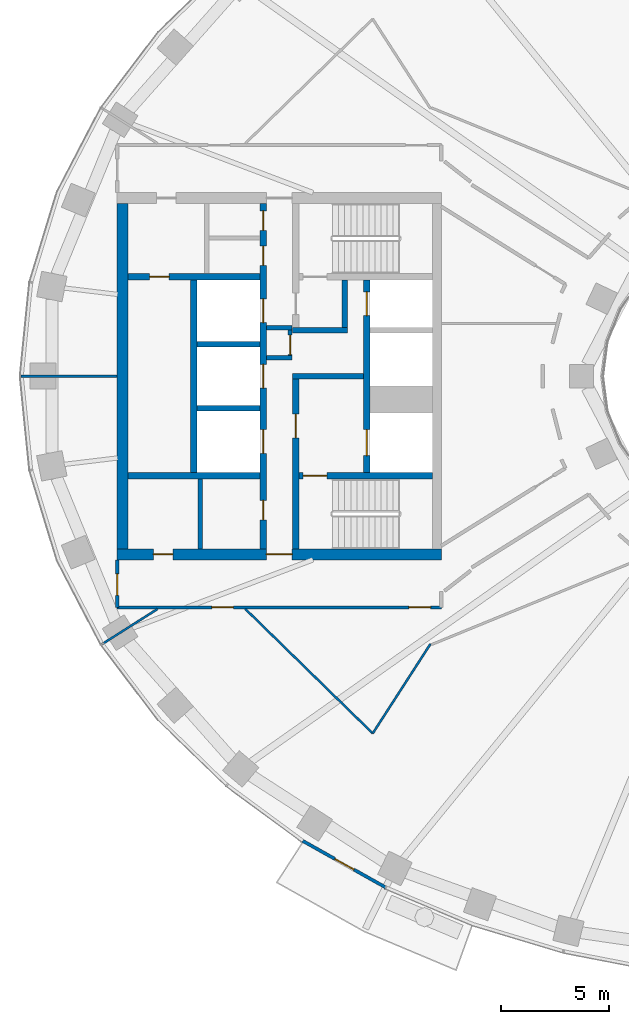
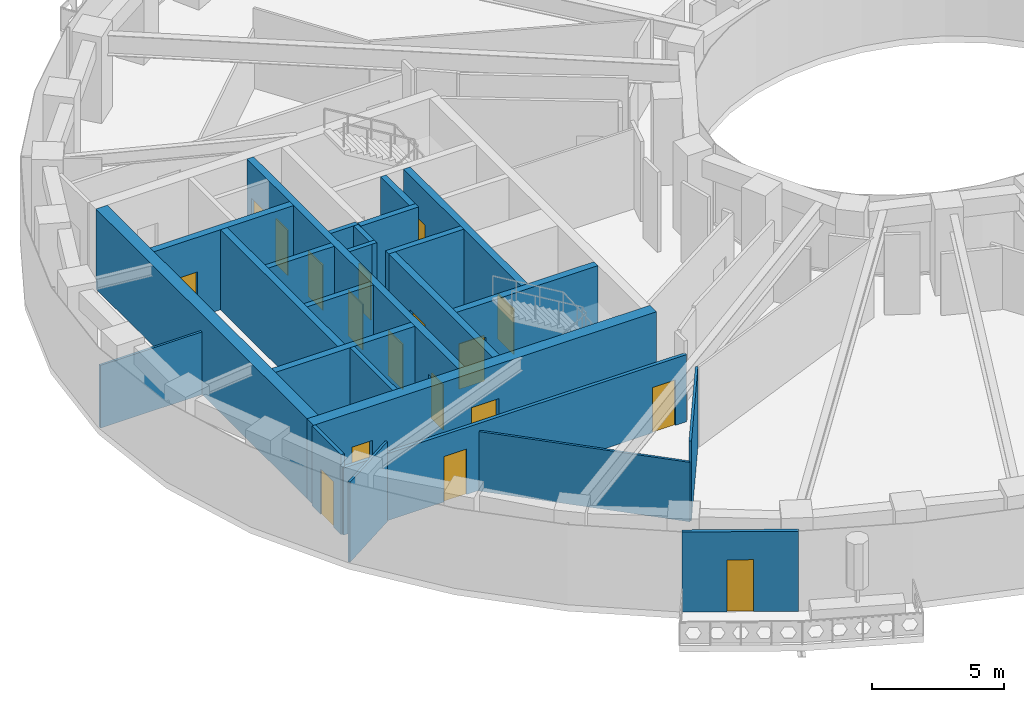
# One storey, part 3 of 15: 25 walls, 18 doors, 18 openings.
"""IFC4 building model written with IfcOpenShell, lengths in metres."""

from ifc_helpers import new_model, si_unit, direction, frame, frame_2d, origin, place, context, subcontext, project, spatial, rectangle, extrude, material, layer, layer_set, type_object, element, fill, save


model = new_model("IFC4")

# Units and contexts
model_context = context("Model", 3, precision=1e-05, world=origin(), true_north=direction((0.0, 1.0)))
body_context = subcontext(model_context, "Body", "Model", "MODEL_VIEW")
ifc_project = project(units=[si_unit("LENGTHUNIT", "METRE"), si_unit("AREAUNIT", "SQUARE_METRE"), si_unit("VOLUMEUNIT", "CUBIC_METRE"), si_unit("PLANEANGLEUNIT", "RADIAN"), si_unit("MASSUNIT", "GRAM", prefix="KILO")], contexts=[model_context])

# Site, building, storey
site_placement = place(None, origin())
site = spatial("IfcSite", under=ifc_project, at=site_placement, CompositionType="ELEMENT")
building_placement = place(site_placement, origin())
building = spatial("IfcBuilding", under=site, at=building_placement, Name="Noorbagh Ring Tower", CompositionType="ELEMENT")
storey_placement = place(building_placement, frame((0.0, 0.0, 158.0)))
storey = spatial("IfcBuildingStorey", under=building, at=storey_placement, Name="L36", CompositionType="ELEMENT", Elevation=158.0)

# Walls
ifc_material_1 = material(Name="Gypsum board on steel studs", Category="steel")
ifc_layer_1 = layer(ifc_material_1, 0.199951171875)
ifc_layer_set_1 = layer_set([ifc_layer_1], Name="Gypsum board on steel studs")
wall_type_1 = type_object("IfcWallType", Name="CORE-PARTITION-200", PredefinedType="PARTITIONING", material=ifc_layer_set_1)
for number, where, z_axis, x_axis, name in (
    (1, (-23.39990234375, 0.85009765625, 0.0), (0.0, 0.0, 1.0), (-1.0, 0.0, 0.0), "Core partition W"),
    (2, (-23.39990234375, 2.25, 0.0), (0.0, 0.0, 1.0), (-1.0, 0.0, 0.0), "Core partition W"),
):
    element("IfcWall", number, at=place(storey_placement, frame(where, z_axis=z_axis, x_axis=x_axis)), inside=storey, type_object=wall_type_1, Name=name, PredefinedType="PARTITIONING", context=body_context, shape_type="SweptSolid", body=[
        extrude(rectangle(XDim=1.2001953125, YDim=0.199951171875, at=frame_2d((0.60009765625, 0.0))), origin(), (0.0, 0.0, 1.0), 3.699951171875),
    ])

# Wall, opening, door
wall_1_placement = place(storey_placement, frame((-23.5, 0.75, 0.0), z_axis=(0.0, 0.0, 1.0), x_axis=(0.0, 1.0, 0.0)))
wall_1 = element("IfcWall", 3, at=wall_1_placement, inside=storey, type_object=wall_type_1, Name="Core partition W", PredefinedType="PARTITIONING", context=body_context, shape_type="SweptSolid", body=[
    extrude(rectangle(XDim=1.60009765625, YDim=0.199951171875, at=frame_2d((0.800048828125, 0.0))), origin(), (0.0, 0.0, 1.0), 3.699951171875),
])
opening_1_placement = place(wall_1_placement, frame((0.25, 0.0, 0.0)))
opening_1 = element("IfcOpeningElement", 4, at=opening_1_placement, cuts=wall_1, Name="Opening L36-CW17", PredefinedType="OPENING", context=body_context, shape_type="SweptSolid", body=[
    extrude(rectangle(XDim=0.89990234375, YDim=2.10009765625, at=frame_2d((0.449951171875, 1.050048828125))), frame((0.0, 0.10986328125, 0.0), z_axis=(0.0, -1.0, 0.0), x_axis=(1.0, 0.0, 0.0)), (0.0, 0.0, 1.0), 0.219970703125),
])
ifc_material_2 = material(Name="Steel door leaf", Category="steel")
door_type_1 = type_object("IfcDoorType", Name="CORE-DOOR-DROOM", OperationType="SINGLE_SWING_LEFT", PredefinedType="DOOR", material=ifc_material_2)
door_1_placement = place(opening_1_placement, origin())
door_1 = element("IfcDoor", 5, at=door_1_placement, inside=storey, type_object=door_type_1, Name="Core room door L36-CW17", OperationType="SINGLE_SWING_RIGHT", OverallHeight=2.10009765625, OverallWidth=0.89990234375, PredefinedType="DOOR", context=body_context, shape_type="SweptSolid", body=[
    extrude(rectangle(XDim=0.89990234375, YDim=2.10009765625, at=frame_2d((0.449951171875, 1.050048828125))), frame((0.0, 0.02490234375, 0.0), z_axis=(0.0, -1.0, 0.0), x_axis=(1.0, 0.0, 0.0)), (0.0, 0.0, 1.0), 0.050048828125),
])
fill(opening_1, door_1)

# Walls
wall_2_placement = place(storey_placement, frame((-27.64990234375, -8.0, 0.0), z_axis=(0.0, 0.0, 1.0), x_axis=(0.0, 1.0, 0.0)))
element("IfcWall", 6, at=wall_2_placement, inside=storey, type_object=wall_type_1, Name="Core partition W", PredefinedType="PARTITIONING", context=body_context, shape_type="SweptSolid", body=[
    extrude(rectangle(XDim=3.25, YDim=0.199951171875, at=frame_2d((1.625, 0.0))), origin(), (0.0, 0.0, 1.0), 3.699951171875),
])
ifc_material_3 = material(Name="Concrete C60/75", Category="concrete")
ifc_layer_2 = layer(ifc_material_3, 0.25)
ifc_layer_set_2 = layer_set([ifc_layer_2], Name="Concrete C60/75")
wall_type_2 = type_object("IfcWallType", Name="CORE-WALL-250-C60-75-EI120", PredefinedType="SHEAR", material=ifc_layer_set_2)
for number, where, z_axis, x_axis, name in (
    (7, (-24.89990234375, -1.47509765625, 0.0), (0.0, 0.0, 1.0), (-1.0, 0.0, 0.0), "Core wall W"),
    (8, (-24.89990234375, 1.47509765625, 0.0), (0.0, 0.0, 1.0), (-1.0, 0.0, 0.0), "Core wall W"),
):
    element("IfcWall", number, at=place(storey_placement, frame(where, z_axis=z_axis, x_axis=x_axis)), inside=storey, type_object=wall_type_2, Name=name, PredefinedType="SHEAR", context=body_context, shape_type="SweptSolid", body=[
        extrude(rectangle(XDim=2.900146484375, YDim=0.25, at=frame_2d((1.4501953125, 0.0))), origin(), (0.0, 0.0, 1.0), 3.699951171875),
    ])
ifc_material_4 = material(Name="Concrete C60/75", Category="concrete")
ifc_layer_3 = layer(ifc_material_4, 0.25)
ifc_layer_set_3 = layer_set([ifc_layer_3], Name="Concrete C60/75")
wall_type_3 = type_object("IfcWallType", Name="CORE-WALL-250-C60-75-EI240", PredefinedType="SHEAR", material=ifc_layer_set_3)
wall_3_placement = place(storey_placement, frame((-20.10009765625, 0.0, 0.0), z_axis=(0.0, 0.0, 1.0), x_axis=(-1.0, 0.0, 0.0)))
element("IfcWall", 9, at=wall_3_placement, inside=storey, type_object=wall_type_3, Name="Core wall W", PredefinedType="SHEAR", context=body_context, shape_type="SweptSolid", body=[
    extrude(rectangle(XDim=3.27978515625, YDim=0.25, at=frame_2d((1.639892578125, 0.0))), origin(), (0.0, 0.0, 1.0), 3.699951171875),
])
wall_4_placement = place(storey_placement, frame((-20.85009765625, 2.125, 0.0), z_axis=(0.0, 0.0, 1.0), x_axis=(-1.0, 0.0, 0.0)))
element("IfcWall", 10, at=wall_4_placement, inside=storey, type_object=wall_type_3, Name="Core wall W", PredefinedType="SHEAR", context=body_context, shape_type="SweptSolid", body=[
    extrude(rectangle(XDim=2.52978515625, YDim=0.25, at=frame_2d((1.264892578125, 0.0))), origin(), (0.0, 0.0, 1.0), 3.699951171875),
])
wall_5_placement = place(storey_placement, frame((-20.97509765625, 2.25, 0.0), z_axis=(0.0, 0.0, 1.0), x_axis=(0.0, 1.0, 0.0)))
element("IfcWall", 11, at=wall_5_placement, inside=storey, type_object=wall_type_3, Name="Core wall W", PredefinedType="SHEAR", context=body_context, shape_type="SweptSolid", body=[
    extrude(rectangle(XDim=2.199951171875, YDim=0.25, at=frame_2d((1.10009765625, 0.0))), origin(), (0.0, 0.0, 1.0), 3.699951171875),
])
ifc_material_5 = material(Name="Concrete C60/75", Category="concrete")
ifc_layer_4 = layer(ifc_material_5, 0.300048828125)
ifc_layer_set_4 = layer_set([ifc_layer_4], Name="Concrete C60/75")
wall_type_4 = type_object("IfcWallType", Name="CORE-WALL-300-C60-75-EI120", PredefinedType="SHEAR", material=ifc_layer_set_4)
wall_6_placement = place(storey_placement, frame((-27.949951171875, -4.449951171875, 0.0), z_axis=(0.0, 0.0, 1.0), x_axis=(0.0, 1.0, 0.0)))
element("IfcWall", 12, at=wall_6_placement, inside=storey, type_object=wall_type_4, Name="Core wall W", PredefinedType="SHEAR", context=body_context, shape_type="SweptSolid", body=[
    extrude(rectangle(XDim=8.89990234375, YDim=0.300048828125, at=frame_2d((4.449951171875, 0.0))), origin(), (0.0, 0.0, 1.0), 3.699951171875),
])

# Wall, openings, doors
wall_7_placement = place(storey_placement, frame((-19.949951171875, -4.449951171875, 0.0), z_axis=(0.0, 0.0, 1.0), x_axis=(0.0, 1.0, 0.0)))
wall_7 = element("IfcWall", 13, at=wall_7_placement, inside=storey, type_object=wall_type_4, Name="Core wall W", PredefinedType="SHEAR", context=body_context, shape_type="SweptSolid", body=[
    extrude(rectangle(XDim=8.89990234375, YDim=0.300048828125, at=frame_2d((4.449951171875, 0.0))), origin(), (0.0, 0.0, 1.0), 3.699951171875),
])
opening_2_placement = place(wall_7_placement, frame((0.77490234375, 0.0, 0.0)))
opening_2 = element("IfcOpeningElement", 14, at=opening_2_placement, cuts=wall_7, Name="Opening L36-CW01", PredefinedType="OPENING", context=body_context, shape_type="SweptSolid", body=[
    extrude(rectangle(XDim=1.199951171875, YDim=2.10009765625, at=frame_2d((0.60009765625, 1.050048828125))), frame((0.0, 0.16015625, 0.0), z_axis=(0.0, -1.0, 0.0), x_axis=(1.0, 0.0, 0.0)), (0.0, 0.0, 1.0), 0.320068359375),
])
opening_3_placement = place(wall_7_placement, frame((7.25, 0.0, 0.0)))
opening_3 = element("IfcOpeningElement", 15, at=opening_3_placement, cuts=wall_7, Name="Opening L36-CW02", PredefinedType="OPENING", context=body_context, shape_type="SweptSolid", body=[
    extrude(rectangle(XDim=1.10009765625, YDim=2.10009765625, at=frame_2d((0.550048828125, 1.050048828125))), frame((0.0, 0.16015625, 0.0), z_axis=(0.0, -1.0, 0.0), x_axis=(1.0, 0.0, 0.0)), (0.0, 0.0, 1.0), 0.320068359375),
])
ifc_material_6 = material(Name="Steel door leaf", Category="steel")
door_type_2 = type_object("IfcDoorType", Name="CORE-DOOR-LD", OperationType="DOUBLE_DOOR_SLIDING", PredefinedType="DOOR", material=ifc_material_6)
door_2_placement = place(opening_3_placement, origin())
door_2 = element("IfcDoor", 16, at=door_2_placement, inside=storey, type_object=door_type_2, Name="Landing door HR1 L36-CW02", OperationType="DOUBLE_DOOR_SLIDING", OverallHeight=2.10009765625, OverallWidth=1.10009765625, PredefinedType="DOOR", context=body_context, shape_type="SweptSolid", body=[
    extrude(rectangle(XDim=1.10009765625, YDim=2.10009765625, at=frame_2d((0.550048828125, 1.050048828125))), frame((0.0, 0.02490234375, 0.0), z_axis=(0.0, -1.0, 0.0), x_axis=(1.0, 0.0, 0.0)), (0.0, 0.0, 1.0), 0.050048828125),
])
fill(opening_3, door_2)
ifc_material_7 = material(Name="Steel door leaf", Category="steel")
door_type_3 = type_object("IfcDoorType", Name="CORE-DOOR-LDW", OperationType="DOUBLE_DOOR_SLIDING", PredefinedType="DOOR", material=ifc_material_7)
door_3_placement = place(opening_2_placement, origin())
door_3 = element("IfcDoor", 17, at=door_3_placement, inside=storey, type_object=door_type_3, Name="Landing door FF1 L36-CW01", OperationType="DOUBLE_DOOR_SLIDING", OverallHeight=2.10009765625, OverallWidth=1.199951171875, PredefinedType="DOOR", context=body_context, shape_type="SweptSolid", body=[
    extrude(rectangle(XDim=1.199951171875, YDim=2.10009765625, at=frame_2d((0.60009765625, 1.050048828125))), frame((0.0, 0.02490234375, 0.0), z_axis=(0.0, -1.0, 0.0), x_axis=(1.0, 0.0, 0.0)), (0.0, 0.0, 1.0), 0.050048828125),
])
fill(opening_2, door_3)

wall_8_placement = place(storey_placement, frame((-24.75, -8.0, 0.0), z_axis=(0.0, 0.0, 1.0), x_axis=(0.0, 1.0, 0.0)))
wall_8 = element("IfcWall", 18, at=wall_8_placement, inside=storey, type_object=wall_type_4, Name="Core wall W", PredefinedType="SHEAR", context=body_context, shape_type="SweptSolid", body=[
    extrude(rectangle(XDim=16.0, YDim=0.300048828125, at=frame_2d((8.0, 0.0))), origin(), (0.0, 0.0, 1.0), 3.699951171875),
])
opening_4_placement = place(wall_8_placement, frame((4.425048828125, 0.0, 0.0)))
opening_4 = element("IfcOpeningElement", 19, at=opening_4_placement, cuts=wall_8, Name="Opening L36-CW03", PredefinedType="OPENING", context=body_context, shape_type="SweptSolid", body=[
    extrude(rectangle(XDim=1.10009765625, YDim=2.10009765625, at=frame_2d((0.550048828125, 1.050048828125))), frame((0.0, 0.16015625, 0.0), z_axis=(0.0, -1.0, 0.0), x_axis=(1.0, 0.0, 0.0)), (0.0, 0.0, 1.0), 0.320068359375),
])
opening_5_placement = place(wall_8_placement, frame((7.449951171875, 0.0, 0.0)))
opening_5 = element("IfcOpeningElement", 20, at=opening_5_placement, cuts=wall_8, Name="Opening L36-CW04", PredefinedType="OPENING", context=body_context, shape_type="SweptSolid", body=[
    extrude(rectangle(XDim=1.10009765625, YDim=2.10009765625, at=frame_2d((0.550048828125, 1.050048828125))), frame((0.0, 0.16015625, 0.0), z_axis=(0.0, -1.0, 0.0), x_axis=(1.0, 0.0, 0.0)), (0.0, 0.0, 1.0), 0.320068359375),
])
opening_6_placement = place(wall_8_placement, frame((10.47509765625, 0.0, 0.0)))
opening_6 = element("IfcOpeningElement", 21, at=opening_6_placement, cuts=wall_8, Name="Opening L36-CW05", PredefinedType="OPENING", context=body_context, shape_type="SweptSolid", body=[
    extrude(rectangle(XDim=1.10009765625, YDim=2.10009765625, at=frame_2d((0.550048828125, 1.050048828125))), frame((0.0, 0.16015625, 0.0), z_axis=(0.0, -1.0, 0.0), x_axis=(1.0, 0.0, 0.0)), (0.0, 0.0, 1.0), 0.320068359375),
])
opening_7_placement = place(wall_8_placement, frame((13.125, 0.0, 0.0)))
opening_7 = element("IfcOpeningElement", 22, at=opening_7_placement, cuts=wall_8, Name="Opening L36-CW12", PredefinedType="OPENING", context=body_context, shape_type="SweptSolid", body=[
    extrude(rectangle(XDim=0.89990234375, YDim=2.10009765625, at=frame_2d((0.449951171875, 1.050048828125))), frame((0.0, 0.16015625, 0.0), z_axis=(0.0, -1.0, 0.0), x_axis=(1.0, 0.0, 0.0)), (0.0, 0.0, 1.0), 0.320068359375),
])
opening_8_placement = place(wall_8_placement, frame((14.75, 0.0, 0.0)))
opening_8 = element("IfcOpeningElement", 23, at=opening_8_placement, cuts=wall_8, Name="Opening L36-CW13", PredefinedType="OPENING", context=body_context, shape_type="SweptSolid", body=[
    extrude(rectangle(XDim=0.89990234375, YDim=2.10009765625, at=frame_2d((0.449951171875, 1.050048828125))), frame((0.0, 0.16015625, 0.0), z_axis=(0.0, -1.0, 0.0), x_axis=(1.0, 0.0, 0.0)), (0.0, 0.0, 1.0), 0.320068359375),
])
opening_9_placement = place(wall_8_placement, frame((1.35009765625, 0.0, 0.0)))
opening_9 = element("IfcOpeningElement", 24, at=opening_9_placement, cuts=wall_8, Name="Opening L36-CW15", PredefinedType="OPENING", context=body_context, shape_type="SweptSolid", body=[
    extrude(rectangle(XDim=0.89990234375, YDim=2.10009765625, at=frame_2d((0.449951171875, 1.050048828125))), frame((0.0, 0.16015625, 0.0), z_axis=(0.0, -1.0, 0.0), x_axis=(1.0, 0.0, 0.0)), (0.0, 0.0, 1.0), 0.320068359375),
])
door_4_placement = place(opening_7_placement, origin())
door_4 = element("IfcDoor", 25, at=door_4_placement, inside=storey, type_object=door_type_1, Name="Core room door L36-CW12", OperationType="SINGLE_SWING_LEFT", OverallHeight=2.10009765625, OverallWidth=0.89990234375, PredefinedType="DOOR", context=body_context, shape_type="SweptSolid", body=[
    extrude(rectangle(XDim=0.89990234375, YDim=2.10009765625, at=frame_2d((0.449951171875, 1.050048828125))), frame((0.0, 0.02490234375, 0.0), z_axis=(0.0, -1.0, 0.0), x_axis=(1.0, 0.0, 0.0)), (0.0, 0.0, 1.0), 0.050048828125),
])
fill(opening_7, door_4)
door_5_placement = place(opening_8_placement, origin())
door_5 = element("IfcDoor", 26, at=door_5_placement, inside=storey, type_object=door_type_1, Name="Core room door L36-CW13", OperationType="SINGLE_SWING_RIGHT", OverallHeight=2.10009765625, OverallWidth=0.89990234375, PredefinedType="DOOR", context=body_context, shape_type="SweptSolid", body=[
    extrude(rectangle(XDim=0.89990234375, YDim=2.10009765625, at=frame_2d((0.449951171875, 1.050048828125))), frame((0.0, 0.02490234375, 0.0), z_axis=(0.0, -1.0, 0.0), x_axis=(1.0, 0.0, 0.0)), (0.0, 0.0, 1.0), 0.050048828125),
])
fill(opening_8, door_5)
door_6_placement = place(opening_9_placement, origin())
door_6 = element("IfcDoor", 27, at=door_6_placement, inside=storey, type_object=door_type_1, Name="Core room door L36-CW15", OperationType="SINGLE_SWING_LEFT", OverallHeight=2.10009765625, OverallWidth=0.89990234375, PredefinedType="DOOR", context=body_context, shape_type="SweptSolid", body=[
    extrude(rectangle(XDim=0.89990234375, YDim=2.10009765625, at=frame_2d((0.449951171875, 1.050048828125))), frame((0.0, 0.02490234375, 0.0), z_axis=(0.0, -1.0, 0.0), x_axis=(1.0, 0.0, 0.0)), (0.0, 0.0, 1.0), 0.050048828125),
])
fill(opening_9, door_6)
door_7_placement = place(opening_4_placement, origin())
door_7 = element("IfcDoor", 28, at=door_7_placement, inside=storey, type_object=door_type_2, Name="Landing door HR2 L36-CW03", OperationType="DOUBLE_DOOR_SLIDING", OverallHeight=2.10009765625, OverallWidth=1.10009765625, PredefinedType="DOOR", context=body_context, shape_type="SweptSolid", body=[
    extrude(rectangle(XDim=1.10009765625, YDim=2.10009765625, at=frame_2d((0.550048828125, 1.050048828125))), frame((0.0, 0.02490234375, 0.0), z_axis=(0.0, -1.0, 0.0), x_axis=(1.0, 0.0, 0.0)), (0.0, 0.0, 1.0), 0.050048828125),
])
fill(opening_4, door_7)
door_8_placement = place(opening_5_placement, origin())
door_8 = element("IfcDoor", 29, at=door_8_placement, inside=storey, type_object=door_type_2, Name="Landing door HR3 L36-CW04", OperationType="DOUBLE_DOOR_SLIDING", OverallHeight=2.10009765625, OverallWidth=1.10009765625, PredefinedType="DOOR", context=body_context, shape_type="SweptSolid", body=[
    extrude(rectangle(XDim=1.10009765625, YDim=2.10009765625, at=frame_2d((0.550048828125, 1.050048828125))), frame((0.0, 0.02490234375, 0.0), z_axis=(0.0, -1.0, 0.0), x_axis=(1.0, 0.0, 0.0)), (0.0, 0.0, 1.0), 0.050048828125),
])
fill(opening_5, door_8)
door_9_placement = place(opening_6_placement, origin())
door_9 = element("IfcDoor", 30, at=door_9_placement, inside=storey, type_object=door_type_2, Name="Landing door HR4 L36-CW05", OperationType="DOUBLE_DOOR_SLIDING", OverallHeight=2.10009765625, OverallWidth=1.10009765625, PredefinedType="DOOR", context=body_context, shape_type="SweptSolid", body=[
    extrude(rectangle(XDim=1.10009765625, YDim=2.10009765625, at=frame_2d((0.550048828125, 1.050048828125))), frame((0.0, 0.02490234375, 0.0), z_axis=(0.0, -1.0, 0.0), x_axis=(1.0, 0.0, 0.0)), (0.0, 0.0, 1.0), 0.050048828125),
])
fill(opening_6, door_9)

# Wall, opening, door
ifc_material_8 = material(Name="Concrete C60/75", Category="concrete")
ifc_layer_5 = layer(ifc_material_8, 0.300048828125)
ifc_layer_set_5 = layer_set([ifc_layer_5], Name="Concrete C60/75")
wall_type_5 = type_object("IfcWallType", Name="CORE-WALL-300-C60-75-EI240", PredefinedType="SHEAR", material=ifc_layer_set_5)
wall_9_placement = place(storey_placement, frame((-24.89990234375, 4.60009765625, 0.0), z_axis=(0.0, 0.0, 1.0), x_axis=(-1.0, 0.0, 0.0)))
wall_9 = element("IfcWall", 31, at=wall_9_placement, inside=storey, type_object=wall_type_5, Name="Core wall W", PredefinedType="SHEAR", context=body_context, shape_type="SweptSolid", body=[
    extrude(rectangle(XDim=6.10009765625, YDim=0.300048828125, at=frame_2d((3.050048828125, 0.0))), origin(), (0.0, 0.0, 1.0), 3.699951171875),
])
opening_10_placement = place(wall_9_placement, frame((4.199951171875, 0.0, 0.0)))
opening_10 = element("IfcOpeningElement", 32, at=opening_10_placement, cuts=wall_9, Name="Opening L36-CW18", PredefinedType="OPENING", context=body_context, shape_type="SweptSolid", body=[
    extrude(rectangle(XDim=0.89990234375, YDim=2.10009765625, at=frame_2d((0.449951171875, 1.050048828125))), frame((0.0, 0.16015625, 0.0), z_axis=(0.0, -1.0, 0.0), x_axis=(1.0, 0.0, 0.0)), (0.0, 0.0, 1.0), 0.320068359375),
])
door_10_placement = place(opening_10_placement, origin())
door_10 = element("IfcDoor", 33, at=door_10_placement, inside=storey, type_object=door_type_1, Name="Core room door L36-CW18", OperationType="SINGLE_SWING_LEFT", OverallHeight=2.10009765625, OverallWidth=0.89990234375, PredefinedType="DOOR", context=body_context, shape_type="SweptSolid", body=[
    extrude(rectangle(XDim=0.89990234375, YDim=2.10009765625, at=frame_2d((0.449951171875, 1.050048828125))), frame((0.0, 0.02490234375, 0.0), z_axis=(0.0, -1.0, 0.0), x_axis=(1.0, 0.0, 0.0)), (0.0, 0.0, 1.0), 0.050048828125),
])
fill(opening_10, door_10)

# Wall
wall_10_placement = place(storey_placement, frame((-24.89990234375, -4.60009765625, 0.0), z_axis=(0.0, 0.0, 1.0), x_axis=(-1.0, 0.0, 0.0)))
element("IfcWall", 34, at=wall_10_placement, inside=storey, type_object=wall_type_5, Name="Core wall W", PredefinedType="SHEAR", context=body_context, shape_type="SweptSolid", body=[
    extrude(rectangle(XDim=6.10009765625, YDim=0.300048828125, at=frame_2d((3.050048828125, 0.0))), origin(), (0.0, 0.0, 1.0), 3.699951171875),
])

# Wall, opening, door
wall_11_placement = place(storey_placement, frame((-23.22998046875, -8.0, 0.0), z_axis=(0.0, 0.0, 1.0), x_axis=(0.0, 1.0, 0.0)))
wall_11 = element("IfcWall", 35, at=wall_11_placement, inside=storey, type_object=wall_type_5, Name="Core wall W", PredefinedType="SHEAR", context=body_context, shape_type="SweptSolid", body=[
    extrude(rectangle(XDim=7.875, YDim=0.300048828125, at=frame_2d((3.9375, 0.0))), origin(), (0.0, 0.0, 1.0), 3.699951171875),
])
opening_11_placement = place(wall_11_placement, frame((5.14990234375, 0.0, 0.0)))
opening_11 = element("IfcOpeningElement", 36, at=opening_11_placement, cuts=wall_11, Name="Opening L36-CW08", PredefinedType="OPENING", context=body_context, shape_type="SweptSolid", body=[
    extrude(rectangle(XDim=1.10009765625, YDim=2.10009765625, at=frame_2d((0.550048828125, 1.050048828125))), frame((0.0, 0.16015625, 0.0), z_axis=(0.0, -1.0, 0.0), x_axis=(1.0, 0.0, 0.0)), (0.0, 0.0, 1.0), 0.320068359375),
])
ifc_material_9 = material(Name="Steel door leaf", Category="steel")
door_type_4 = type_object("IfcDoorType", Name="CORE-DOOR-DFF", OperationType="SINGLE_SWING_LEFT", PredefinedType="DOOR", material=ifc_material_9)
door_11_placement = place(opening_11_placement, origin())
door_11 = element("IfcDoor", 37, at=door_11_placement, inside=storey, type_object=door_type_4, Name="Firefighting lobby door L36-CW08", OperationType="SINGLE_SWING_LEFT", OverallHeight=2.10009765625, OverallWidth=1.10009765625, PredefinedType="DOOR", context=body_context, shape_type="SweptSolid", body=[
    extrude(rectangle(XDim=1.10009765625, YDim=2.10009765625, at=frame_2d((0.550048828125, 1.050048828125))), frame((0.0, 0.02490234375, 0.0), z_axis=(0.0, -1.0, 0.0), x_axis=(1.0, 0.0, 0.0)), (0.0, 0.0, 1.0), 0.050048828125),
])
fill(opening_11, door_11)

wall_12_placement = place(storey_placement, frame((-16.89990234375, -4.60009765625, 0.0), z_axis=(0.0, 0.0, 1.0), x_axis=(-1.0, 0.0, 0.0)))
wall_12 = element("IfcWall", 38, at=wall_12_placement, inside=storey, type_object=wall_type_5, Name="Core wall W", PredefinedType="SHEAR", context=body_context, shape_type="SweptSolid", body=[
    extrude(rectangle(XDim=6.18017578125, YDim=0.300048828125, at=frame_2d((3.090087890625, 0.0))), origin(), (0.0, 0.0, 1.0), 3.699951171875),
])
opening_12_placement = place(wall_12_placement, frame((4.89990234375, 0.0, 0.0)))
opening_12 = element("IfcOpeningElement", 39, at=opening_12_placement, cuts=wall_12, Name="Opening L36-CW07", PredefinedType="OPENING", context=body_context, shape_type="SweptSolid", body=[
    extrude(rectangle(XDim=1.10009765625, YDim=2.10009765625, at=frame_2d((0.550048828125, 1.050048828125))), frame((0.0, 0.16015625, 0.0), z_axis=(0.0, -1.0, 0.0), x_axis=(1.0, 0.0, 0.0)), (0.0, 0.0, 1.0), 0.320068359375),
])
ifc_material_10 = material(Name="Steel door leaf", Category="steel")
door_type_5 = type_object("IfcDoorType", Name="CORE-DOOR-DSTAIR", OperationType="SINGLE_SWING_LEFT", PredefinedType="DOOR", material=ifc_material_10)
door_12_placement = place(opening_12_placement, origin())
door_12 = element("IfcDoor", 40, at=door_12_placement, inside=storey, type_object=door_type_5, Name="Stair door ST2 L36-CW07", OperationType="SINGLE_SWING_LEFT", OverallHeight=2.10009765625, OverallWidth=1.10009765625, PredefinedType="DOOR", context=body_context, shape_type="SweptSolid", body=[
    extrude(rectangle(XDim=1.10009765625, YDim=2.10009765625, at=frame_2d((0.550048828125, 1.050048828125))), frame((0.0, 0.02490234375, 0.0), z_axis=(0.0, -1.0, 0.0), x_axis=(1.0, 0.0, 0.0)), (0.0, 0.0, 1.0), 0.050048828125),
])
fill(opening_12, door_12)

# Wall, openings, doors
ifc_material_11 = material(Name="Concrete C60/75", Category="concrete")
ifc_layer_6 = layer(ifc_material_11, 0.5)
ifc_layer_set_6 = layer_set([ifc_layer_6], Name="Concrete C60/75")
wall_type_6 = type_object("IfcWallType", Name="CORE-WALL-500-C60-75-EI240", PredefinedType="SHEAR", material=ifc_layer_set_6)
wall_13_placement = place(storey_placement, frame((-16.5, -8.25, 0.0), z_axis=(0.0, 0.0, 1.0), x_axis=(-1.0, 0.0, 0.0)))
wall_13 = element("IfcWall", 41, at=wall_13_placement, inside=storey, type_object=wall_type_6, Name="Core wall W", PredefinedType="SHEAR", context=body_context, shape_type="SweptSolid", body=[
    extrude(rectangle(XDim=15.0, YDim=0.5, at=frame_2d((7.5, 0.0))), origin(), (0.0, 0.0, 1.0), 3.699951171875),
])
opening_13_placement = place(wall_13_placement, frame((6.89990234375, 0.0, 0.0)))
opening_13 = element("IfcOpeningElement", 42, at=opening_13_placement, cuts=wall_13, Name="Opening L36-CW11", PredefinedType="OPENING", context=body_context, shape_type="SweptSolid", body=[
    extrude(rectangle(XDim=1.199951171875, YDim=2.10009765625, at=frame_2d((0.60009765625, 1.050048828125))), frame((0.0, 0.260009765625, 0.0), z_axis=(0.0, -1.0, 0.0), x_axis=(1.0, 0.0, 0.0)), (0.0, 0.0, 1.0), 0.52001953125),
])
opening_14_placement = place(wall_13_placement, frame((12.425048828125, 0.0, 0.0)))
opening_14 = element("IfcOpeningElement", 43, at=opening_14_placement, cuts=wall_13, Name="Opening L36-CW16", PredefinedType="OPENING", context=body_context, shape_type="SweptSolid", body=[
    extrude(rectangle(XDim=0.89990234375, YDim=2.10009765625, at=frame_2d((0.449951171875, 1.050048828125))), frame((0.0, 0.260009765625, 0.0), z_axis=(0.0, -1.0, 0.0), x_axis=(1.0, 0.0, 0.0)), (0.0, 0.0, 1.0), 0.52001953125),
])
door_13_placement = place(opening_14_placement, origin())
door_13 = element("IfcDoor", 44, at=door_13_placement, inside=storey, type_object=door_type_1, Name="Core room door L36-CW16", OperationType="SINGLE_SWING_LEFT", OverallHeight=2.10009765625, OverallWidth=0.89990234375, PredefinedType="DOOR", context=body_context, shape_type="SweptSolid", body=[
    extrude(rectangle(XDim=0.89990234375, YDim=2.10009765625, at=frame_2d((0.449951171875, 1.050048828125))), frame((0.0, 0.02490234375, 0.0), z_axis=(0.0, -1.0, 0.0), x_axis=(1.0, 0.0, 0.0)), (0.0, 0.0, 1.0), 0.050048828125),
])
fill(opening_14, door_13)
ifc_material_12 = material(Name="Steel door leaf", Category="steel")
door_type_6 = type_object("IfcDoorType", Name="CORE-DOOR-PORT", OperationType="DOUBLE_DOOR_DOUBLE_SWING", PredefinedType="DOOR", material=ifc_material_12)
door_14_placement = place(opening_13_placement, origin())
door_14 = element("IfcDoor", 45, at=door_14_placement, inside=storey, type_object=door_type_6, Name="Core entrance door L36-CW11", OperationType="DOUBLE_DOOR_DOUBLE_SWING", OverallHeight=2.10009765625, OverallWidth=1.199951171875, PredefinedType="DOOR", context=body_context, shape_type="SweptSolid", body=[
    extrude(rectangle(XDim=1.199951171875, YDim=2.10009765625, at=frame_2d((0.60009765625, 1.050048828125))), frame((0.0, 0.02490234375, 0.0), z_axis=(0.0, -1.0, 0.0), x_axis=(1.0, 0.0, 0.0)), (0.0, 0.0, 1.0), 0.050048828125),
])
fill(opening_13, door_14)

# Wall
wall_14_placement = place(storey_placement, frame((-31.25, -8.0, 0.0), z_axis=(0.0, 0.0, 1.0), x_axis=(0.0, 1.0, 0.0)))
element("IfcWall", 46, at=wall_14_placement, inside=storey, type_object=wall_type_6, Name="Core wall W", PredefinedType="SHEAR", context=body_context, shape_type="SweptSolid", body=[
    extrude(rectangle(XDim=16.0, YDim=0.5, at=frame_2d((8.0, 0.0))), origin(), (0.0, 0.0, 1.0), 3.699951171875),
])

# Wall, opening, door
ifc_material_13 = material(Name="Gypsum board on steel studs", Category="steel")
ifc_layer_7 = layer(ifc_material_13, 0.14990234375)
ifc_layer_set_7 = layer_set([ifc_layer_7], Name="Gypsum board on steel studs")
wall_type_7 = type_object("IfcWallType", Name="CORRIDOR PARTITION 150 EI 30", PredefinedType="PARTITIONING", material=ifc_layer_set_7)
wall_15_placement = place(storey_placement, frame((-31.5, -10.699951171875, 0.0), z_axis=(0.0, 0.0, 1.0), x_axis=(0.0, 1.0, 0.0)))
wall_15 = element("IfcWall", 47, at=wall_15_placement, inside=storey, type_object=wall_type_7, Name="L36/wall/P04", PredefinedType="PARTITIONING", context=body_context, shape_type="SweptSolid", body=[
    extrude(rectangle(XDim=2.199951171875, YDim=0.14990234375, at=frame_2d((1.10009765625, 0.0))), origin(), (0.0, 0.0, 1.0), 3.699951171875),
])
opening_15_placement = place(wall_15_placement, frame((0.550048828125, 0.0, 0.0)))
opening_15 = element("IfcOpeningElement", 48, at=opening_15_placement, cuts=wall_15, Name="Opening D1", PredefinedType="OPENING", context=body_context, shape_type="SweptSolid", body=[
    extrude(rectangle(XDim=1.0, YDim=2.10009765625, at=frame_2d((0.5, 1.050048828125))), frame((0.0, 0.0849609375, 0.0), z_axis=(0.0, -1.0, 0.0), x_axis=(1.0, 0.0, 0.0)), (0.0, 0.0, 1.0), 0.169921875),
])
ifc_material_14 = material(Name="Timber, painted", Category="wood")
door_type_7 = type_object("IfcDoorType", Name="DOOR 1000 X 2100 FD30", OperationType="SINGLE_SWING_LEFT", PredefinedType="DOOR", material=ifc_material_14)
door_15_placement = place(opening_15_placement, origin())
door_15 = element("IfcDoor", 49, at=door_15_placement, inside=storey, type_object=door_type_7, Name="L36-D06", OperationType="SINGLE_SWING_RIGHT", OverallHeight=2.10009765625, OverallWidth=1.0, PredefinedType="DOOR", context=body_context, shape_type="SweptSolid", body=[
    extrude(rectangle(XDim=1.0, YDim=2.10009765625, at=frame_2d((0.5, 1.050048828125))), frame((0.0, 0.02490234375, 0.0), z_axis=(0.0, -1.0, 0.0), x_axis=(1.0, 0.0, 0.0)), (0.0, 0.0, 1.0), 0.050048828125),
])
fill(opening_15, door_15)

# Wall, openings, doors
wall_16_placement = place(storey_placement, frame((-31.5, -10.699951171875, 0.0), z_axis=(0.0, 0.0, 1.0), x_axis=(1.0, 0.0, 0.0)))
wall_16 = element("IfcWall", 50, at=wall_16_placement, inside=storey, type_object=wall_type_7, Name="L36/wall/P05", PredefinedType="PARTITIONING", context=body_context, shape_type="SweptSolid", body=[
    extrude(rectangle(XDim=15.0, YDim=0.14990234375, at=frame_2d((7.5, 0.0))), origin(), (0.0, 0.0, 1.0), 3.10009765625),
])
opening_16_placement = place(wall_16_placement, frame((4.37890625, 0.0, 0.0)))
opening_16 = element("IfcOpeningElement", 51, at=opening_16_placement, cuts=wall_16, Name="Opening D1", PredefinedType="OPENING", context=body_context, shape_type="SweptSolid", body=[
    extrude(rectangle(XDim=1.0, YDim=2.10009765625, at=frame_2d((0.5, 1.050048828125))), frame((0.0, 0.0849609375, 0.0), z_axis=(0.0, -1.0, 0.0), x_axis=(1.0, 0.0, 0.0)), (0.0, 0.0, 1.0), 0.169921875),
])
opening_17_placement = place(wall_16_placement, frame((13.50390625, 0.0, 0.0)))
opening_17 = element("IfcOpeningElement", 52, at=opening_17_placement, cuts=wall_16, Name="Opening D1", PredefinedType="OPENING", context=body_context, shape_type="SweptSolid", body=[
    extrude(rectangle(XDim=1.0, YDim=2.10009765625, at=frame_2d((0.5, 1.050048828125))), frame((0.0, 0.0849609375, 0.0), z_axis=(0.0, -1.0, 0.0), x_axis=(1.0, 0.0, 0.0)), (0.0, 0.0, 1.0), 0.169921875),
])
door_16_placement = place(opening_16_placement, origin())
door_16 = element("IfcDoor", 53, at=door_16_placement, inside=storey, type_object=door_type_7, Name="L36-D08", OperationType="SINGLE_SWING_RIGHT", OverallHeight=2.10009765625, OverallWidth=1.0, PredefinedType="DOOR", context=body_context, shape_type="SweptSolid", body=[
    extrude(rectangle(XDim=1.0, YDim=2.10009765625, at=frame_2d((0.5, 1.050048828125))), frame((0.0, 0.02490234375, 0.0), z_axis=(0.0, -1.0, 0.0), x_axis=(1.0, 0.0, 0.0)), (0.0, 0.0, 1.0), 0.050048828125),
])
fill(opening_16, door_16)
door_17_placement = place(opening_17_placement, origin())
door_17 = element("IfcDoor", 54, at=door_17_placement, inside=storey, type_object=door_type_7, Name="L36-D10", OperationType="SINGLE_SWING_RIGHT", OverallHeight=2.10009765625, OverallWidth=1.0, PredefinedType="DOOR", context=body_context, shape_type="SweptSolid", body=[
    extrude(rectangle(XDim=1.0, YDim=2.10009765625, at=frame_2d((0.5, 1.050048828125))), frame((0.0, 0.02490234375, 0.0), z_axis=(0.0, -1.0, 0.0), x_axis=(1.0, 0.0, 0.0)), (0.0, 0.0, 1.0), 0.050048828125),
])
fill(opening_17, door_17)

# Wall, opening, door
ifc_material_15 = material(Name="Insulated aluminium clad panel", Category="aluminium")
ifc_layer_8 = layer(ifc_material_15, 0.14990234375)
ifc_layer_set_8 = layer_set([ifc_layer_8], Name="Insulated aluminium clad panel")
wall_type_8 = type_object("IfcWallType", Name="ENV-WALL-DOOR", PredefinedType="STANDARD", material=ifc_layer_set_8)
wall_17_placement = place(storey_placement, frame((-22.913330078125, -21.508544921875, 0.0), z_axis=(0.0, 0.0, 1.0), x_axis=(0.872046572975, -0.489422899509, 0.0)))
wall_17 = element("IfcWall", 55, at=wall_17_placement, inside=storey, type_object=wall_type_8, Name="Balcony door wall chord 30", PredefinedType="STANDARD", context=body_context, shape_type="SweptSolid", body=[
    extrude(rectangle(XDim=4.425537109375, YDim=0.14990234375, at=frame_2d((2.212890625, 0.0))), origin(), (0.0, 0.0, 1.0), 3.699951171875),
])
opening_18_placement = place(wall_17_placement, frame((1.712646484375, 0.0, 0.0)))
opening_18 = element("IfcOpeningElement", 56, at=opening_18_placement, cuts=wall_17, Name="Opening D-BL", PredefinedType="OPENING", context=body_context, shape_type="SweptSolid", body=[
    extrude(rectangle(XDim=1.0, YDim=2.39990234375, at=frame_2d((0.5, 1.199951171875))), frame((0.0, 0.0849609375, 0.0), z_axis=(0.0, -1.0, 0.0), x_axis=(1.0, 0.0, 0.0)), (0.0, 0.0, 1.0), 0.169921875),
])
ifc_material_16 = material(Name="Aluminium and glass", Category="aluminium")
door_type_8 = type_object("IfcDoorType", Name="ENV-DOOR-BALCONY", OperationType="SINGLE_SWING_LEFT", PredefinedType="DOOR", material=ifc_material_16)
door_18_placement = place(opening_18_placement, origin())
door_18 = element("IfcDoor", 57, at=door_18_placement, inside=storey, type_object=door_type_8, Name="Balcony door chord 30", OperationType="SINGLE_SWING_LEFT", OverallHeight=2.39990234375, OverallWidth=1.0, PredefinedType="DOOR", context=body_context, shape_type="SweptSolid", body=[
    extrude(rectangle(XDim=1.0, YDim=2.39990234375, at=frame_2d((0.5, 1.199951171875))), frame((0.0, 0.02490234375, 0.0), z_axis=(0.0, -1.0, 0.0), x_axis=(1.0, 0.0, 0.0)), (0.0, 0.0, 1.0), 0.050048828125),
])
fill(opening_18, door_18)

# Walls
ifc_material_17 = material(Name="Gypsum board on steel studs", Category="steel")
ifc_layer_9 = layer(ifc_material_17, 0.10009765625)
ifc_layer_set_9 = layer_set([ifc_layer_9], Name="Gypsum board on steel studs")
wall_type_9 = type_object("IfcWallType", Name="PARTITION 100 GYPSUM", PredefinedType="PARTITIONING", material=ifc_layer_set_9)
wall_18_placement = place(storey_placement, frame((-35.948974609375, 0.0, 0.0), z_axis=(0.0, 0.0, 1.0), x_axis=(1.0, 0.0, 0.0)))
element("IfcWall", 58, at=wall_18_placement, inside=storey, type_object=wall_type_9, Name="L36/wall/P01", PredefinedType="PARTITIONING", context=body_context, shape_type="SweptSolid", body=[
    extrude(rectangle(XDim=4.448974609375, YDim=0.10009765625, at=frame_2d((2.224609375, 0.0))), origin(), (0.0, 0.0, 1.0), 2.89990234375),
])
wall_19_placement = place(storey_placement, frame((-32.2119140625, -12.407958984375, 0.0), z_axis=(0.0, 0.0, 1.0), x_axis=(0.844810627195, 0.535065420467, 0.0)))
element("IfcWall", 59, at=wall_19_placement, inside=storey, type_object=wall_type_9, Name="L36/wall/P02", PredefinedType="PARTITIONING", context=body_context, shape_type="SweptSolid", body=[
    extrude(rectangle(XDim=3.0478515625, YDim=0.10009765625, at=frame_2d((1.52392578125, 0.0))), origin(), (0.0, 0.0, 1.0), 3.699951171875),
])
wall_20_placement = place(storey_placement, frame((-25.56591796875, -10.778076171875, 0.0), z_axis=(0.0, 0.0, 1.0), x_axis=(0.715430617602, -0.698683784982, 0.0)))
element("IfcWall", 60, at=wall_20_placement, inside=storey, type_object=wall_type_9, Name="L36/wall/P08", PredefinedType="PARTITIONING", context=body_context, shape_type="SweptSolid", body=[
    extrude(rectangle(XDim=8.23681640625, YDim=0.10009765625, at=frame_2d((4.118408203125, 0.0))), origin(), (0.0, 0.0, 1.0), 2.75),
])
wall_21_placement = place(storey_placement, frame((-19.673095703125, -16.532958984375, 0.0), z_axis=(0.0, 0.0, 1.0), x_axis=(0.542297022656, 0.840186847801, 0.0)))
element("IfcWall", 61, at=wall_21_placement, inside=storey, type_object=wall_type_9, Name="L36/wall/P10", PredefinedType="PARTITIONING", context=body_context, shape_type="SweptSolid", body=[
    extrude(rectangle(XDim=4.9345703125, YDim=0.10009765625, at=frame_2d((2.46728515625, 0.0))), origin(), (0.0, 0.0, 1.0), 3.699951171875),
])

save(model, "model.ifc")
